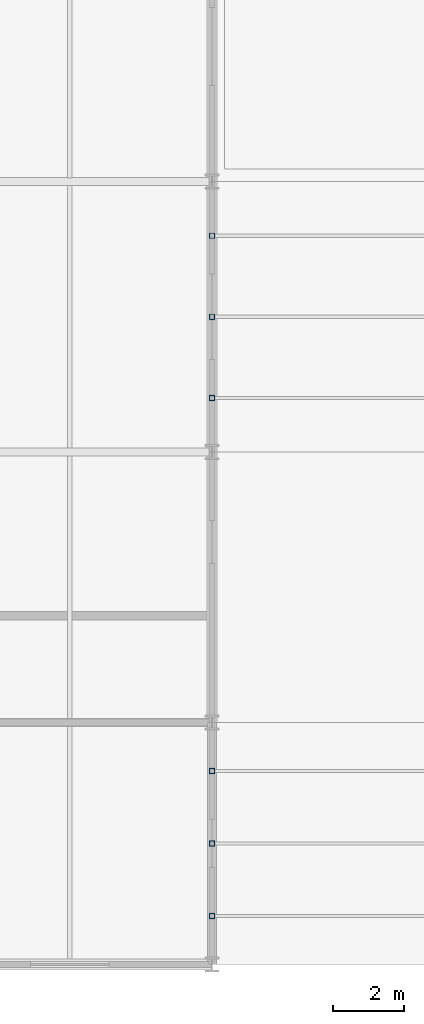
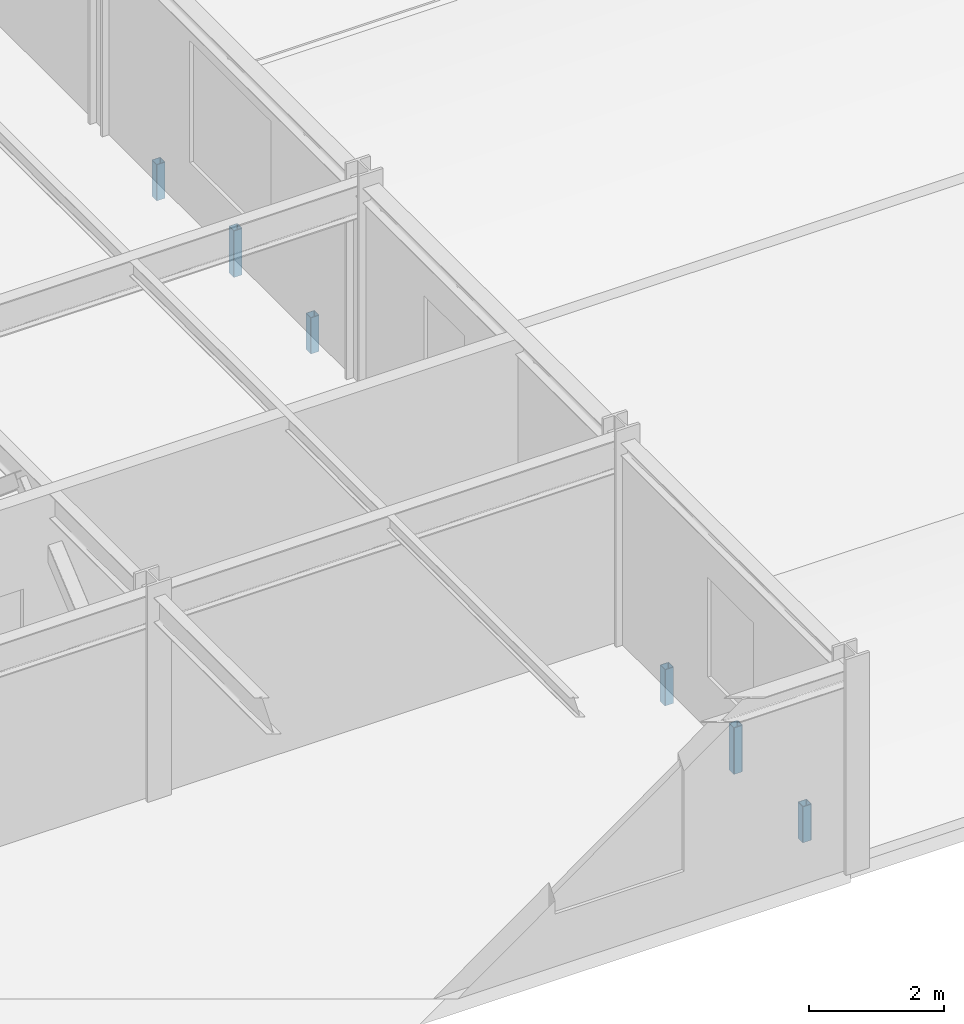
# One storey, part 26 of 46: 6 members.
"""IFC4 building model written with IfcOpenShell, lengths in metres."""

from ifc_helpers import new_model, si_unit, direction, frame, origin, origin_2d, place, context, subcontext, project, spatial, hollow_rectangle, extrude, material, material_profile, profile_set, type_object, element, save


model = new_model("IFC4")

# Units and contexts
model_context = context("Model", 3, precision=1e-05, world=origin(), true_north=direction((0.0, 1.0)))
body_context = subcontext(model_context, "Body", "Model", "MODEL_VIEW")
ifc_project = project(units=[si_unit("LENGTHUNIT", "METRE"), si_unit("AREAUNIT", "SQUARE_METRE"), si_unit("VOLUMEUNIT", "CUBIC_METRE"), si_unit("PLANEANGLEUNIT", "RADIAN"), si_unit("MASSUNIT", "GRAM", prefix="KILO")], contexts=[model_context])

# Site, building, storey
site_placement = place(None, origin())
site = spatial("IfcSite", under=ifc_project, at=site_placement, CompositionType="ELEMENT")
building_placement = place(site_placement, origin())
building = spatial("IfcBuilding", under=site, at=building_placement, Name="Shalkamar Park Central Library", CompositionType="ELEMENT")
storey_placement = place(building_placement, frame((0.0, 0.0, 20.39990234375)))
storey = spatial("IfcBuildingStorey", under=building, at=storey_placement, Name="L05", CompositionType="ELEMENT", Elevation=20.39990234375)

# Members
ifc_material = material(Name="Steel S355", Category="steel")
ifc_material_profile = material_profile(ifc_material, hollow_rectangle(XDim=0.14990234375, YDim=0.14990234375, WallThickness=0.008056640625, InnerFilletRadius=0.008056640625, OuterFilletRadius=0.011962890625, at=origin_2d()), Name="SHS 150x150x8")
ifc_profile_set = profile_set([ifc_material_profile], Name="Steel S355")
member_type = type_object("IfcMemberType", Name="Diagonal Brace SHS150", PredefinedType="BRACE", material=ifc_profile_set)
member_1_placement = place(storey_placement, frame((221.0, 249.760009765625, -0.35986328125), z_axis=(0.0, 0.0, 1.0), x_axis=(1.0, 0.0, 0.0)))
element("IfcMember", 1, at=member_1_placement, inside=storey, type_object=member_type, Name="Vault Arch Post BV-L04-S1-14.1", PredefinedType="BRACE", context=body_context, shape_type="SweptSolid", body=[
    extrude(hollow_rectangle(XDim=0.14990234375, YDim=0.14990234375, WallThickness=0.008056640625, InnerFilletRadius=0.008056640625, OuterFilletRadius=0.011962890625, at=origin_2d()), origin(), (0.0, 0.0, 1.0), 0.65283203125),
])
member_2_placement = place(storey_placement, frame((221.0, 251.800048828125, -0.35986328125), z_axis=(0.0, 0.0, 1.0), x_axis=(1.0, 0.0, 0.0)))
element("IfcMember", 2, at=member_2_placement, inside=storey, type_object=member_type, Name="Vault Arch Post BV-L04-S1-14.2", PredefinedType="BRACE", context=body_context, shape_type="SweptSolid", body=[
    extrude(hollow_rectangle(XDim=0.14990234375, YDim=0.14990234375, WallThickness=0.008056640625, InnerFilletRadius=0.008056640625, OuterFilletRadius=0.011962890625, at=origin_2d()), origin(), (0.0, 0.0, 1.0), 0.83984375),
])
for number, where, z_axis, x_axis, name in (
    (3, (221.0, 253.840087890625, -0.35986328125), (0.0, 0.0, 1.0), (1.0, 0.0, 0.0), "Vault Arch Post BV-L04-S1-14.3"),
    (4, (221.0, 264.320068359375, -0.35986328125), (0.0, 0.0, 1.0), (1.0, 0.0, 0.0), "Vault Arch Post BV-L04-S2-14.1"),
):
    element("IfcMember", number, at=place(storey_placement, frame(where, z_axis=z_axis, x_axis=x_axis)), inside=storey, type_object=member_type, Name=name, PredefinedType="BRACE", context=body_context, shape_type="SweptSolid", body=[
        extrude(hollow_rectangle(XDim=0.14990234375, YDim=0.14990234375, WallThickness=0.008056640625, InnerFilletRadius=0.008056640625, OuterFilletRadius=0.011962890625, at=origin_2d()), origin(), (0.0, 0.0, 1.0), 0.65283203125),
    ])
member_3_placement = place(storey_placement, frame((221.0, 266.60009765625, -0.35986328125), z_axis=(0.0, 0.0, 1.0), x_axis=(1.0, 0.0, 0.0)))
element("IfcMember", 5, at=member_3_placement, inside=storey, type_object=member_type, Name="Vault Arch Post BV-L04-S2-14.2", PredefinedType="BRACE", context=body_context, shape_type="SweptSolid", body=[
    extrude(hollow_rectangle(XDim=0.14990234375, YDim=0.14990234375, WallThickness=0.008056640625, InnerFilletRadius=0.008056640625, OuterFilletRadius=0.011962890625, at=origin_2d()), origin(), (0.0, 0.0, 1.0), 0.83984375),
])
member_4_placement = place(storey_placement, frame((221.0, 268.8798828125, -0.35986328125), z_axis=(0.0, 0.0, 1.0), x_axis=(1.0, 0.0, 0.0)))
element("IfcMember", 6, at=member_4_placement, inside=storey, type_object=member_type, Name="Vault Arch Post BV-L04-S2-14.3", PredefinedType="BRACE", context=body_context, shape_type="SweptSolid", body=[
    extrude(hollow_rectangle(XDim=0.14990234375, YDim=0.14990234375, WallThickness=0.008056640625, InnerFilletRadius=0.008056640625, OuterFilletRadius=0.011962890625, at=origin_2d()), origin(), (0.0, 0.0, 1.0), 0.65283203125),
])

save(model, "model.ifc")
